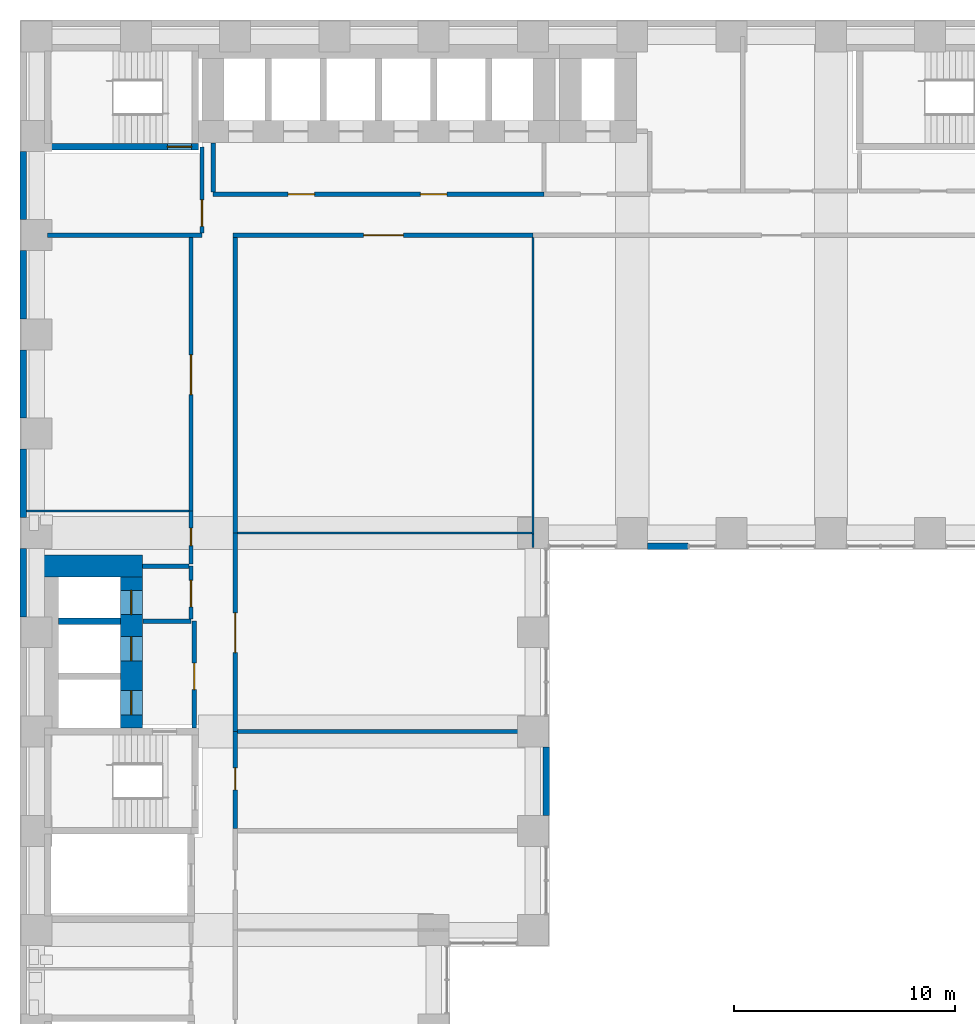
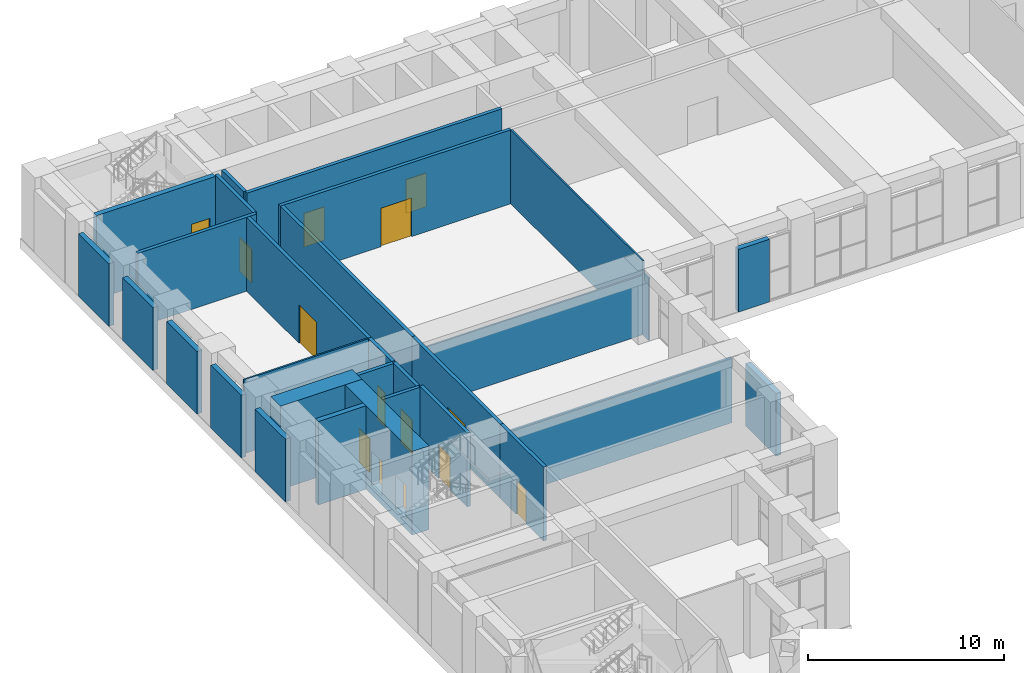
# One storey, part 16 of 30: 30 walls, 14 doors, 14 openings.
"""IFC4 building model written with IfcOpenShell, lengths in metres."""

from ifc_helpers import new_model, si_unit, direction, frame, frame_2d, origin, place, context, subcontext, project, spatial, rectangle, extrude, material, layer, layer_set, type_object, element, fill, save


model = new_model("IFC4")

# Units and contexts
model_context = context("Model", 3, precision=1e-05, world=origin(), true_north=direction((0.0, 1.0)))
body_context = subcontext(model_context, "Body", "Model", "MODEL_VIEW")
ifc_project = project(units=[si_unit("LENGTHUNIT", "METRE"), si_unit("AREAUNIT", "SQUARE_METRE"), si_unit("VOLUMEUNIT", "CUBIC_METRE"), si_unit("PLANEANGLEUNIT", "RADIAN"), si_unit("MASSUNIT", "GRAM", prefix="KILO")], contexts=[model_context])

# Site, building, storey
site_placement = place(None, origin())
site = spatial("IfcSite", under=ifc_project, at=site_placement, CompositionType="ELEMENT")
building_placement = place(site_placement, origin())
building = spatial("IfcBuilding", under=site, at=building_placement, Name="Firuza Court", CompositionType="ELEMENT")
storey_placement = place(building_placement, frame((0.0, 0.0, 9.0)))
storey = spatial("IfcBuildingStorey", under=building, at=storey_placement, Name="L01", CompositionType="ELEMENT", Elevation=9.0)

# Wall
ifc_material_1 = material(Name="Concrete C60/75", Category="concrete")
ifc_layer_1 = layer(ifc_material_1, 1.0)
ifc_layer_set_1 = layer_set([ifc_layer_1], Name="Concrete C60/75")
wall_type_1 = type_object("IfcWallType", Name="Core wall 1000 C60/75", PredefinedType="SHEAR", material=ifc_layer_set_1)
wall_1_placement = place(storey_placement, frame((0.0, 34.5, -0.60009765625), z_axis=(0.0, 0.0, 1.0), x_axis=(1.0, 0.0, 0.0)))
element("IfcWall", 1, at=wall_1_placement, inside=storey, type_object=wall_type_1, Name="Core wall lift shaft L01", PredefinedType="SHEAR", context=body_context, shape_type="SweptSolid", body=[
    extrude(rectangle(XDim=4.800048828125, YDim=1.0, at=frame_2d((2.39990234375, 0.0))), origin(), (0.0, 0.0, 1.0), 5.2001953125),
])

# Wall, openings, doors
wall_2_placement = place(storey_placement, frame((4.300048828125, 27.14990234375, -0.60009765625), z_axis=(0.0, 0.0, 1.0), x_axis=(0.0, 1.0, 0.0)))
wall_2 = element("IfcWall", 2, at=wall_2_placement, inside=storey, type_object=wall_type_1, Name="Core wall lift shaft L01", PredefinedType="SHEAR", context=body_context, shape_type="SweptSolid", body=[
    extrude(rectangle(XDim=6.85009765625, YDim=1.0, at=frame_2d((3.425048828125, 0.0))), origin(), (0.0, 0.0, 1.0), 5.2001953125),
])
opening_1_placement = place(wall_2_placement, frame((3.050048828125, 0.0, 0.60009765625)))
opening_1 = element("IfcOpeningElement", 3, at=opening_1_placement, cuts=wall_2, Name="Opening LD-FL1-01", PredefinedType="OPENING", context=body_context, shape_type="SweptSolid", body=[
    extrude(rectangle(XDim=1.10009765625, YDim=2.10009765625, at=frame_2d((0.550048828125, 1.050048828125))), frame((0.0, 0.511962890625, 0.0), z_axis=(0.0, -1.0, 0.0), x_axis=(1.0, 0.0, 0.0)), (0.0, 0.0, 1.0), 1.02392578125),
])
opening_2_placement = place(wall_2_placement, frame((0.60009765625, 0.0, 0.60009765625)))
opening_2 = element("IfcOpeningElement", 4, at=opening_2_placement, cuts=wall_2, Name="Opening LD-FL2-01", PredefinedType="OPENING", context=body_context, shape_type="SweptSolid", body=[
    extrude(rectangle(XDim=1.10009765625, YDim=2.10009765625, at=frame_2d((0.550048828125, 1.050048828125))), frame((0.0, 0.511962890625, 0.0), z_axis=(0.0, -1.0, 0.0), x_axis=(1.0, 0.0, 0.0)), (0.0, 0.0, 1.0), 1.02392578125),
])
opening_3_placement = place(wall_2_placement, frame((5.14990234375, 0.0, 0.60009765625)))
opening_3 = element("IfcOpeningElement", 5, at=opening_3_placement, cuts=wall_2, Name="Opening LD-SL1-01", PredefinedType="OPENING", context=body_context, shape_type="SweptSolid", body=[
    extrude(rectangle(XDim=1.10009765625, YDim=2.10009765625, at=frame_2d((0.550048828125, 1.050048828125))), frame((0.0, 0.511962890625, 0.0), z_axis=(0.0, -1.0, 0.0), x_axis=(1.0, 0.0, 0.0)), (0.0, 0.0, 1.0), 1.02392578125),
])
ifc_material_2 = material(Name="Stainless steel 1.4301 door leaf", Category="steel")
door_type_1 = type_object("IfcDoorType", Name="Lift landing door 1100", OperationType="SLIDING_TO_LEFT", PredefinedType="DOOR", material=ifc_material_2)
door_1_placement = place(opening_1_placement, origin())
door_1 = element("IfcDoor", 6, at=door_1_placement, inside=storey, type_object=door_type_1, Name="Landing door FL1", OperationType="SLIDING_TO_LEFT", OverallHeight=2.10009765625, OverallWidth=1.10009765625, PredefinedType="DOOR", context=body_context, shape_type="SweptSolid", body=[
    extrude(rectangle(XDim=1.10009765625, YDim=2.10009765625, at=frame_2d((0.550048828125, 1.050048828125))), frame((0.0, 0.02490234375, 0.0), z_axis=(0.0, -1.0, 0.0), x_axis=(1.0, 0.0, 0.0)), (0.0, 0.0, 1.0), 0.050048828125),
])
fill(opening_1, door_1)
door_2_placement = place(opening_2_placement, origin())
door_2 = element("IfcDoor", 7, at=door_2_placement, inside=storey, type_object=door_type_1, Name="Landing door FL2", OperationType="SLIDING_TO_LEFT", OverallHeight=2.10009765625, OverallWidth=1.10009765625, PredefinedType="DOOR", context=body_context, shape_type="SweptSolid", body=[
    extrude(rectangle(XDim=1.10009765625, YDim=2.10009765625, at=frame_2d((0.550048828125, 1.050048828125))), frame((0.0, 0.02490234375, 0.0), z_axis=(0.0, -1.0, 0.0), x_axis=(1.0, 0.0, 0.0)), (0.0, 0.0, 1.0), 0.050048828125),
])
fill(opening_2, door_2)
door_3_placement = place(opening_3_placement, origin())
door_3 = element("IfcDoor", 8, at=door_3_placement, inside=storey, type_object=door_type_1, Name="Landing door SL1", OperationType="SLIDING_TO_LEFT", OverallHeight=2.10009765625, OverallWidth=1.10009765625, PredefinedType="DOOR", context=body_context, shape_type="SweptSolid", body=[
    extrude(rectangle(XDim=1.10009765625, YDim=2.10009765625, at=frame_2d((0.550048828125, 1.050048828125))), frame((0.0, 0.02490234375, 0.0), z_axis=(0.0, -1.0, 0.0), x_axis=(1.0, 0.0, 0.0)), (0.0, 0.0, 1.0), 0.050048828125),
])
fill(opening_3, door_3)

# Wall, opening, door
ifc_layer_2 = layer(ifc_material_1, 0.300048828125)
ifc_layer_set_2 = layer_set([ifc_layer_2], Name="Concrete C60/75")
wall_type_2 = type_object("IfcWallType", Name="Core wall 300 C60/75", PredefinedType="SHEAR", material=ifc_layer_set_2)
wall_3_placement = place(storey_placement, frame((0.35009765625, 53.5, -0.60009765625), z_axis=(0.0, 0.0, 1.0), x_axis=(1.0, 0.0, 0.0)))
wall_3 = element("IfcWall", 9, at=wall_3_placement, inside=storey, type_object=wall_type_2, Name="Core wall stair L01", PredefinedType="SHEAR", context=body_context, shape_type="SweptSolid", body=[
    extrude(rectangle(XDim=7.0, YDim=0.300048828125, at=frame_2d((3.5, 0.0))), origin(), (0.0, 0.0, 1.0), 5.2001953125),
])
opening_4_placement = place(wall_3_placement, frame((5.580078125, 0.0, 0.60009765625)))
opening_4 = element("IfcOpeningElement", 10, at=opening_4_placement, cuts=wall_3, Name="Opening D01016", PredefinedType="OPENING", context=body_context, shape_type="SweptSolid", body=[
    extrude(rectangle(XDim=1.10009765625, YDim=2.10009765625, at=frame_2d((0.550048828125, 1.050048828125))), frame((0.0, 0.162109375, 0.0), z_axis=(0.0, -1.0, 0.0), x_axis=(1.0, 0.0, 0.0)), (0.0, 0.0, 1.0), 0.323974609375),
])
ifc_material_3 = material(Name="Timber door leaf in hardwood frame", Category="wood")
door_type_2 = type_object("IfcDoorType", Name="Stair door 1100", OperationType="SINGLE_SWING_LEFT", PredefinedType="DOOR", material=ifc_material_3)
door_4_placement = place(opening_4_placement, origin())
door_4 = element("IfcDoor", 11, at=door_4_placement, inside=storey, type_object=door_type_2, Name="Stair door S3", OperationType="SINGLE_SWING_RIGHT", OverallHeight=2.10009765625, OverallWidth=1.10009765625, PredefinedType="DOOR", context=body_context, shape_type="SweptSolid", body=[
    extrude(rectangle(XDim=1.10009765625, YDim=2.10009765625, at=frame_2d((0.550048828125, 1.050048828125))), frame((0.0, 0.02490234375, 0.0), z_axis=(0.0, -1.0, 0.0), x_axis=(1.0, 0.0, 0.0)), (0.0, 0.0, 1.0), 0.050048828125),
])
fill(opening_4, door_4)

# Wall
wall_4_placement = place(storey_placement, frame((1.0, 32.0, -0.60009765625), z_axis=(0.0, 0.0, 1.0), x_axis=(1.0, 0.0, 0.0)))
element("IfcWall", 12, at=wall_4_placement, inside=storey, type_object=wall_type_2, Name="Core wall lift shaft L01", PredefinedType="SHEAR", context=body_context, shape_type="SweptSolid", body=[
    extrude(rectangle(XDim=2.800048828125, YDim=0.300048828125, at=frame_2d((1.39990234375, 0.0))), origin(), (0.0, 0.0, 1.0), 5.2001953125),
])

# Wall, opening, door
ifc_material_4 = material(Name="Blockwork, plastered both sides", Category="masonry")
ifc_layer_3 = layer(ifc_material_4, 0.199951171875)
ifc_layer_set_3 = layer_set([ifc_layer_3], Name="Blockwork, plastered both sides")
wall_type_3 = type_object("IfcWallType", Name="Corridor wall 200", PredefinedType="PARTITIONING", material=ifc_layer_set_3)
wall_5_placement = place(storey_placement, frame((9.0, 27.0, 0.0), z_axis=(0.0, 0.0, 1.0), x_axis=(0.0, 1.0, 0.0)))
wall_5 = element("IfcWall", 13, at=wall_5_placement, inside=storey, type_object=wall_type_3, Name="Corridor wall 200 L01", PredefinedType="PARTITIONING", context=body_context, shape_type="SweptSolid", body=[
    extrude(rectangle(XDim=9.0, YDim=0.199951171875, at=frame_2d((4.5, 0.0))), origin(), (0.0, 0.0, 1.0), 4.60009765625),
])
opening_5_placement = place(wall_5_placement, frame((3.574951171875, 0.0, 0.0)))
opening_5 = element("IfcOpeningElement", 14, at=opening_5_placement, cuts=wall_5, Name="Opening D01026", PredefinedType="OPENING", context=body_context, shape_type="SweptSolid", body=[
    extrude(rectangle(XDim=1.800048828125, YDim=2.39990234375, at=frame_2d((0.89990234375, 1.199951171875))), frame((0.0, 0.11181640625, 0.0), z_axis=(0.0, -1.0, 0.0), x_axis=(1.0, 0.0, 0.0)), (0.0, 0.0, 1.0), 0.223876953125),
])
ifc_material_5 = material(Name="Timber door leaf in hardwood frame", Category="wood")
door_type_3 = type_object("IfcDoorType", Name="Double door 1800 EI 30", OperationType="DOUBLE_DOOR_SINGLE_SWING", PredefinedType="DOOR", material=ifc_material_5)
door_5_placement = place(opening_5_placement, origin())
door_5 = element("IfcDoor", 15, at=door_5_placement, inside=storey, type_object=door_type_3, Name="Double door", OperationType="DOUBLE_DOOR_SINGLE_SWING", OverallHeight=2.39990234375, OverallWidth=1.800048828125, PredefinedType="DOOR", context=body_context, shape_type="SweptSolid", body=[
    extrude(rectangle(XDim=1.800048828125, YDim=2.39990234375, at=frame_2d((0.89990234375, 1.199951171875))), frame((0.0, 0.02490234375, 0.0), z_axis=(0.0, -1.0, 0.0), x_axis=(1.0, 0.0, 0.0)), (0.0, 0.0, 1.0), 0.050048828125),
])
fill(opening_5, door_5)

# Wall
wall_6_placement = place(storey_placement, frame((9.0, 36.0, 0.0), z_axis=(0.0, 0.0, 1.0), x_axis=(0.0, 1.0, 0.0)))
element("IfcWall", 16, at=wall_6_placement, inside=storey, type_object=wall_type_3, Name="Corridor wall 200 L01", PredefinedType="PARTITIONING", context=body_context, shape_type="SweptSolid", body=[
    extrude(rectangle(XDim=13.39990234375, YDim=0.199951171875, at=frame_2d((6.699951171875, 0.0))), origin(), (0.0, 0.0, 1.0), 4.60009765625),
])

# Wall, opening, door
wall_7_placement = place(storey_placement, frame((7.0, 37.0, 0.0), z_axis=(0.0, 0.0, 1.0), x_axis=(0.0, -1.0, 0.0)))
wall_7 = element("IfcWall", 17, at=wall_7_placement, inside=storey, type_object=wall_type_3, Name="Corridor wall 200 L01", PredefinedType="PARTITIONING", context=body_context, shape_type="SweptSolid", body=[
    extrude(rectangle(XDim=2.39990234375, YDim=0.199951171875, at=frame_2d((1.199951171875, 0.0))), origin(), (0.0, 0.0, 1.0), 4.60009765625),
])
opening_6_placement = place(wall_7_placement, frame((0.77490234375, 0.0, 0.0)))
opening_6 = element("IfcOpeningElement", 18, at=opening_6_placement, cuts=wall_7, Name="Opening D01027", PredefinedType="OPENING", context=body_context, shape_type="SweptSolid", body=[
    extrude(rectangle(XDim=0.800048828125, YDim=2.10009765625, at=frame_2d((0.39990234375, 1.050048828125))), frame((0.0, 0.11181640625, 0.0), z_axis=(0.0, -1.0, 0.0), x_axis=(1.0, 0.0, 0.0)), (0.0, 0.0, 1.0), 0.223876953125),
])
ifc_material_6 = material(Name="Timber door leaf in hardwood frame", Category="wood")
door_type_4 = type_object("IfcDoorType", Name="Room door 800 EI 30", OperationType="SINGLE_SWING_LEFT", PredefinedType="DOOR", material=ifc_material_6)
door_6_placement = place(opening_6_placement, frame((0.800048828125, 0.0, 0.0), z_axis=(0.0, 0.0, 1.0), x_axis=(-1.0, 0.0, 0.0)))
door_6 = element("IfcDoor", 19, at=door_6_placement, inside=storey, type_object=door_type_4, Name="Room door", OperationType="SINGLE_SWING_RIGHT", OverallHeight=2.10009765625, OverallWidth=0.800048828125, PredefinedType="DOOR", context=body_context, shape_type="SweptSolid", body=[
    extrude(rectangle(XDim=0.800048828125, YDim=2.10009765625, at=frame_2d((0.39990234375, 1.050048828125))), frame((0.0, 0.02490234375, 0.0), z_axis=(0.0, -1.0, 0.0), x_axis=(1.0, 0.0, 0.0)), (0.0, 0.0, 1.0), 0.050048828125),
])
fill(opening_6, door_6)

wall_8_placement = place(storey_placement, frame((7.0, 49.39990234375, 0.0), z_axis=(0.0, 0.0, 1.0), x_axis=(0.0, -1.0, 0.0)))
wall_8 = element("IfcWall", 20, at=wall_8_placement, inside=storey, type_object=wall_type_3, Name="Corridor wall 200 L01", PredefinedType="PARTITIONING", context=body_context, shape_type="SweptSolid", body=[
    extrude(rectangle(XDim=12.39990234375, YDim=0.199951171875, at=frame_2d((6.199951171875, 0.0))), origin(), (0.0, 0.0, 1.0), 4.60009765625),
])
opening_7_placement = place(wall_8_placement, frame((5.324951171875, 0.0, 0.0)))
opening_7 = element("IfcOpeningElement", 21, at=opening_7_placement, cuts=wall_8, Name="Opening D01028", PredefinedType="OPENING", context=body_context, shape_type="SweptSolid", body=[
    extrude(rectangle(XDim=1.800048828125, YDim=2.39990234375, at=frame_2d((0.89990234375, 1.199951171875))), frame((0.0, 0.11181640625, 0.0), z_axis=(0.0, -1.0, 0.0), x_axis=(1.0, 0.0, 0.0)), (0.0, 0.0, 1.0), 0.223876953125),
])
door_7_placement = place(opening_7_placement, origin())
door_7 = element("IfcDoor", 22, at=door_7_placement, inside=storey, type_object=door_type_3, Name="Double door", OperationType="DOUBLE_DOOR_SINGLE_SWING", OverallHeight=2.39990234375, OverallWidth=1.800048828125, PredefinedType="DOOR", context=body_context, shape_type="SweptSolid", body=[
    extrude(rectangle(XDim=1.800048828125, YDim=2.39990234375, at=frame_2d((0.89990234375, 1.199951171875))), frame((0.0, 0.02490234375, 0.0), z_axis=(0.0, -1.0, 0.0), x_axis=(1.0, 0.0, 0.0)), (0.0, 0.0, 1.0), 0.050048828125),
])
fill(opening_7, door_7)

wall_9_placement = place(storey_placement, frame((8.89990234375, 49.5, 0.0), z_axis=(0.0, 0.0, 1.0), x_axis=(1.0, 0.0, 0.0)))
wall_9 = element("IfcWall", 23, at=wall_9_placement, inside=storey, type_object=wall_type_3, Name="Corridor wall 200 L01", PredefinedType="PARTITIONING", context=body_context, shape_type="SweptSolid", body=[
    extrude(rectangle(XDim=13.60009765625, YDim=0.199951171875, at=frame_2d((6.800048828125, 0.0))), origin(), (0.0, 0.0, 1.0), 4.60009765625),
])
opening_8_placement = place(wall_9_placement, frame((5.925048828125, 0.0, 0.0)))
opening_8 = element("IfcOpeningElement", 24, at=opening_8_placement, cuts=wall_9, Name="Opening D01029", PredefinedType="OPENING", context=body_context, shape_type="SweptSolid", body=[
    extrude(rectangle(XDim=1.800048828125, YDim=2.39990234375, at=frame_2d((0.89990234375, 1.199951171875))), frame((0.0, 0.11181640625, 0.0), z_axis=(0.0, -1.0, 0.0), x_axis=(1.0, 0.0, 0.0)), (0.0, 0.0, 1.0), 0.223876953125),
])
door_8_placement = place(opening_8_placement, origin())
door_8 = element("IfcDoor", 25, at=door_8_placement, inside=storey, type_object=door_type_3, Name="Double door", OperationType="DOUBLE_DOOR_SINGLE_SWING", OverallHeight=2.39990234375, OverallWidth=1.800048828125, PredefinedType="DOOR", context=body_context, shape_type="SweptSolid", body=[
    extrude(rectangle(XDim=1.800048828125, YDim=2.39990234375, at=frame_2d((0.89990234375, 1.199951171875))), frame((0.0, 0.02490234375, 0.0), z_axis=(0.0, -1.0, 0.0), x_axis=(1.0, 0.0, 0.0)), (0.0, 0.0, 1.0), 0.050048828125),
])
fill(opening_8, door_8)

# Walls
ifc_material_7 = material(Name="Timber stud partition, plasterboard both sides", Category="wood")
ifc_layer_4 = layer(ifc_material_7, 0.10009765625)
ifc_layer_set_4 = layer_set([ifc_layer_4], Name="Timber stud partition, plasterboard both sides")
wall_type_4 = type_object("IfcWallType", Name="Partition wall 100", PredefinedType="PARTITIONING", material=ifc_layer_set_4)
wall_10_placement = place(storey_placement, frame((22.5, 35.35009765625, 0.0), z_axis=(0.0, 0.0, 1.0), x_axis=(0.0, 1.0, 0.0)))
element("IfcWall", 26, at=wall_10_placement, inside=storey, type_object=wall_type_4, Name="Partition wall 100 L01", PredefinedType="PARTITIONING", context=body_context, shape_type="SweptSolid", body=[
    extrude(rectangle(XDim=0.599853515625, YDim=0.10009765625, at=frame_2d((0.2998046875, 0.0))), origin(), (0.0, 0.0, 1.0), 3.89990234375),
])
wall_11_placement = place(storey_placement, frame((22.449951171875, 36.0, 0.0), z_axis=(0.0, 0.0, 1.0), x_axis=(-1.0, 0.0, 0.0)))
element("IfcWall", 27, at=wall_11_placement, inside=storey, type_object=wall_type_4, Name="Partition wall 100 L01", PredefinedType="PARTITIONING", context=body_context, shape_type="SweptSolid", body=[
    extrude(rectangle(XDim=13.349853515625, YDim=0.10009765625, at=frame_2d((6.6748046875, 0.0))), origin(), (0.0, 0.0, 1.0), 3.699951171875),
])
wall_12_placement = place(storey_placement, frame((-0.449951171875, 37.0, 0.0), z_axis=(0.0, 0.0, 1.0), x_axis=(1.0, 0.0, 0.0)))
element("IfcWall", 28, at=wall_12_placement, inside=storey, type_object=wall_type_4, Name="Partition wall 100 L01", PredefinedType="PARTITIONING", context=body_context, shape_type="SweptSolid", body=[
    extrude(rectangle(XDim=7.349853515625, YDim=0.10009765625, at=frame_2d((3.6748046875, 0.0))), origin(), (0.0, 0.0, 1.0), 4.60009765625),
])
wall_13_placement = place(storey_placement, frame((22.5, 49.39990234375, 0.0), z_axis=(0.0, 0.0, 1.0), x_axis=(0.0, -1.0, 0.0)))
element("IfcWall", 29, at=wall_13_placement, inside=storey, type_object=wall_type_4, Name="Partition wall 100 L01", PredefinedType="PARTITIONING", context=body_context, shape_type="SweptSolid", body=[
    extrude(rectangle(XDim=13.449951171875, YDim=0.10009765625, at=frame_2d((6.72509765625, 0.0))), origin(), (0.0, 0.0, 1.0), 4.60009765625),
])

# Wall, opening, door
ifc_material_8 = material(Name="Blockwork, fire-rated", Category="masonry")
ifc_layer_5 = layer(ifc_material_8, 0.199951171875)
ifc_layer_set_5 = layer_set([ifc_layer_5], Name="Blockwork, fire-rated")
wall_type_5 = type_object("IfcWallType", Name="Plant room wall 200", PredefinedType="PARTITIONING", material=ifc_layer_set_5)
wall_14_placement = place(storey_placement, frame((9.0, 22.60009765625, 0.0), z_axis=(0.0, 0.0, 1.0), x_axis=(0.0, 1.0, 0.0)))
wall_14 = element("IfcWall", 30, at=wall_14_placement, inside=storey, type_object=wall_type_5, Name="Plant room wall 200 L01", PredefinedType="PARTITIONING", context=body_context, shape_type="SweptSolid", body=[
    extrude(rectangle(XDim=4.39990234375, YDim=0.199951171875, at=frame_2d((2.199951171875, 0.0))), origin(), (0.0, 0.0, 1.0), 4.60009765625),
])
opening_9_placement = place(wall_14_placement, frame((1.75, 0.0, 0.0)))
opening_9 = element("IfcOpeningElement", 31, at=opening_9_placement, cuts=wall_14, Name="Opening D01025", PredefinedType="OPENING", context=body_context, shape_type="SweptSolid", body=[
    extrude(rectangle(XDim=1.0, YDim=2.10009765625, at=frame_2d((0.5, 1.050048828125))), frame((0.0, 0.11181640625, 0.0), z_axis=(0.0, -1.0, 0.0), x_axis=(1.0, 0.0, 0.0)), (0.0, 0.0, 1.0), 0.223876953125),
])
ifc_material_9 = material(Name="Timber door leaf in hardwood frame", Category="wood")
door_type_5 = type_object("IfcDoorType", Name="Store door 1000", OperationType="SINGLE_SWING_LEFT", PredefinedType="DOOR", material=ifc_material_9)
door_9_placement = place(opening_9_placement, frame((1.0, 0.0, 0.0), z_axis=(0.0, 0.0, 1.0), x_axis=(-1.0, 0.0, 0.0)))
door_9 = element("IfcDoor", 32, at=door_9_placement, inside=storey, type_object=door_type_5, Name="Store door", OperationType="SINGLE_SWING_LEFT", OverallHeight=2.10009765625, OverallWidth=1.0, PredefinedType="DOOR", context=body_context, shape_type="SweptSolid", body=[
    extrude(rectangle(XDim=1.0, YDim=2.10009765625, at=frame_2d((0.5, 1.050048828125))), frame((0.0, 0.02490234375, 0.0), z_axis=(0.0, -1.0, 0.0), x_axis=(1.0, 0.0, 0.0)), (0.0, 0.0, 1.0), 0.050048828125),
])
fill(opening_9, door_9)

# Walls
wall_15_placement = place(storey_placement, frame((22.5, 27.0, 0.0), z_axis=(0.0, 0.0, 1.0), x_axis=(-1.0, 0.0, 0.0)))
element("IfcWall", 33, at=wall_15_placement, inside=storey, type_object=wall_type_5, Name="Plant room wall 200 L01", PredefinedType="PARTITIONING", context=body_context, shape_type="SweptSolid", body=[
    extrude(rectangle(XDim=13.39990234375, YDim=0.199951171875, at=frame_2d((6.699951171875, 0.0))), origin(), (0.0, 0.0, 1.0), 4.0),
])
ifc_material_10 = material(Name="Ceramic tile", Category="ceramic")
ifc_layer_6 = layer(ifc_material_10, 0.02001953125)
ifc_material_11 = material(Name="Mineral wool insulation", Category="insulation")
ifc_layer_7 = layer(ifc_material_11, 0.1298828125)
ifc_material_12 = material(Name="Concrete C40/50 precast", Category="concrete")
ifc_layer_8 = layer(ifc_material_12, 0.14990234375)
ifc_layer_set_6 = layer_set([ifc_layer_6, ifc_layer_7, ifc_layer_8], Name="Concrete C40/50 precast")
wall_type_6 = type_object("IfcWallType", Name="Precast spandrel wall with turquoise TILE PANEL face 300", PredefinedType="STANDARD", material=ifc_layer_set_6)
wall_16_placement = place(storey_placement, frame((23.10009765625, 23.199951171875, 0.0), z_axis=(0.0, 0.0, 1.0), x_axis=(0.0, 1.0, 0.0)))
element("IfcWall", 34, at=wall_16_placement, inside=storey, type_object=wall_type_6, Name="Facade wall L01 E", PredefinedType="STANDARD", context=body_context, shape_type="SweptSolid", body=[
    extrude(rectangle(XDim=3.10009765625, YDim=0.300048828125, at=frame_2d((1.550048828125, 0.0))), origin(), (0.0, 0.0, 1.0), 3.89990234375),
])
wall_17_placement = place(storey_placement, frame((27.699951171875, 35.39990234375, 0.0), z_axis=(0.0, 0.0, 1.0), x_axis=(1.0, 0.0, 0.0)))
element("IfcWall", 35, at=wall_17_placement, inside=storey, type_object=wall_type_6, Name="Facade wall L01 S", PredefinedType="STANDARD", context=body_context, shape_type="SweptSolid", body=[
    extrude(rectangle(XDim=1.817138671875, YDim=0.300048828125, at=frame_2d((0.90869140625, 0.0))), origin(), (0.0, 0.0, 1.0), 3.89990234375),
])
for number, where, z_axis, x_axis, name in (
    (36, (-0.60009765625, 53.300048828125, 0.0), (0.0, 0.0, 1.0), (0.0, -1.0, 0.0), "Facade wall L01 W"),
    (37, (-0.60009765625, 48.800048828125, 0.0), (0.0, 0.0, 1.0), (0.0, -1.0, 0.0), "Facade wall L01 W"),
    (38, (-0.60009765625, 44.300048828125, 0.0), (0.0, 0.0, 1.0), (0.0, -1.0, 0.0), "Facade wall L01 W"),
    (39, (-0.60009765625, 39.800048828125, 0.0), (0.0, 0.0, 1.0), (0.0, -1.0, 0.0), "Facade wall L01 W"),
    (40, (-0.60009765625, 35.300048828125, 0.0), (0.0, 0.0, 1.0), (0.0, -1.0, 0.0), "Facade wall L01 W"),
):
    element("IfcWall", number, at=place(storey_placement, frame(where, z_axis=z_axis, x_axis=x_axis)), inside=storey, type_object=wall_type_6, Name=name, PredefinedType="STANDARD", context=body_context, shape_type="SweptSolid", body=[
        extrude(rectangle(XDim=3.10009765625, YDim=0.300048828125, at=frame_2d((1.550048828125, 0.0))), origin(), (0.0, 0.0, 1.0), 3.89990234375),
    ])

# Wall, openings, doors
ifc_layer_9 = layer(ifc_material_8, 0.199951171875)
ifc_layer_set_7 = layer_set([ifc_layer_9], Name="Blockwork, fire-rated")
wall_type_7 = type_object("IfcWallType", Name="Shaft wall 200", PredefinedType="PARTITIONING", material=ifc_layer_set_7)
wall_18_placement = place(storey_placement, frame((8.0, 51.35009765625, 0.0), z_axis=(0.0, 0.0, 1.0), x_axis=(1.0, 0.0, 0.0)))
wall_18 = element("IfcWall", 41, at=wall_18_placement, inside=storey, type_object=wall_type_7, Name="Shaft wall 200 L01", PredefinedType="PARTITIONING", context=body_context, shape_type="SweptSolid", body=[
    extrude(rectangle(XDim=15.0, YDim=0.199951171875, at=frame_2d((7.5, 0.0))), origin(), (0.0, 0.0, 1.0), 4.60009765625),
])
opening_10_placement = place(wall_18_placement, frame((3.39990234375, 0.0, 0.0)))
opening_10 = element("IfcOpeningElement", 42, at=opening_10_placement, cuts=wall_18, Name="Opening D01004", PredefinedType="OPENING", context=body_context, shape_type="SweptSolid", body=[
    extrude(rectangle(XDim=1.199951171875, YDim=2.10009765625, at=frame_2d((0.60009765625, 1.050048828125))), frame((0.0, 0.11181640625, 0.0), z_axis=(0.0, -1.0, 0.0), x_axis=(1.0, 0.0, 0.0)), (0.0, 0.0, 1.0), 0.223876953125),
])
opening_11_placement = place(wall_18_placement, frame((9.39990234375, 0.0, 0.0)))
opening_11 = element("IfcOpeningElement", 43, at=opening_11_placement, cuts=wall_18, Name="Opening D01005", PredefinedType="OPENING", context=body_context, shape_type="SweptSolid", body=[
    extrude(rectangle(XDim=1.199951171875, YDim=2.10009765625, at=frame_2d((0.60009765625, 1.050048828125))), frame((0.0, 0.11181640625, 0.0), z_axis=(0.0, -1.0, 0.0), x_axis=(1.0, 0.0, 0.0)), (0.0, 0.0, 1.0), 0.223876953125),
])
ifc_material_13 = material(Name="Timber door leaf in hardwood frame", Category="wood")
door_type_6 = type_object("IfcDoorType", Name="Lobby door 1200", OperationType="SINGLE_SWING_LEFT", PredefinedType="DOOR", material=ifc_material_13)
door_10_placement = place(opening_10_placement, origin())
door_10 = element("IfcDoor", 44, at=door_10_placement, inside=storey, type_object=door_type_6, Name="Lobby door", OperationType="SINGLE_SWING_LEFT", OverallHeight=2.10009765625, OverallWidth=1.199951171875, PredefinedType="DOOR", context=body_context, shape_type="SweptSolid", body=[
    extrude(rectangle(XDim=1.199951171875, YDim=2.10009765625, at=frame_2d((0.60009765625, 1.050048828125))), frame((0.0, 0.02490234375, 0.0), z_axis=(0.0, -1.0, 0.0), x_axis=(1.0, 0.0, 0.0)), (0.0, 0.0, 1.0), 0.050048828125),
])
fill(opening_10, door_10)
door_11_placement = place(opening_11_placement, origin())
door_11 = element("IfcDoor", 45, at=door_11_placement, inside=storey, type_object=door_type_6, Name="Lobby door", OperationType="SINGLE_SWING_RIGHT", OverallHeight=2.10009765625, OverallWidth=1.199951171875, PredefinedType="DOOR", context=body_context, shape_type="SweptSolid", body=[
    extrude(rectangle(XDim=1.199951171875, YDim=2.10009765625, at=frame_2d((0.60009765625, 1.050048828125))), frame((0.0, 0.02490234375, 0.0), z_axis=(0.0, -1.0, 0.0), x_axis=(1.0, 0.0, 0.0)), (0.0, 0.0, 1.0), 0.050048828125),
])
fill(opening_11, door_11)

# Walls
wall_19_placement = place(storey_placement, frame((8.0, 51.449951171875, 0.0), z_axis=(0.0, 0.0, 1.0), x_axis=(0.0, 1.0, 0.0)))
element("IfcWall", 46, at=wall_19_placement, inside=storey, type_object=wall_type_7, Name="Shaft wall 200 L01", PredefinedType="PARTITIONING", context=body_context, shape_type="SweptSolid", body=[
    extrude(rectangle(XDim=2.22998046875, YDim=0.199951171875, at=frame_2d((1.114990234375, 0.0))), origin(), (0.0, 0.0, 1.0), 4.60009765625),
])
wall_20_placement = place(storey_placement, frame((4.820068359375, 32.0, 0.0), z_axis=(0.0, 0.0, 1.0), x_axis=(1.0, 0.0, 0.0)))
element("IfcWall", 47, at=wall_20_placement, inside=storey, type_object=wall_type_7, Name="Shaft wall 200 L01", PredefinedType="PARTITIONING", context=body_context, shape_type="SweptSolid", body=[
    extrude(rectangle(XDim=2.179931640625, YDim=0.199951171875, at=frame_2d((1.08984375, 0.0))), origin(), (0.0, 0.0, 1.0), 4.60009765625),
])

# Wall, opening, door
wall_21_placement = place(storey_placement, frame((7.0, 32.10009765625, 0.0), z_axis=(0.0, 0.0, 1.0), x_axis=(0.0, 1.0, 0.0)))
wall_21 = element("IfcWall", 48, at=wall_21_placement, inside=storey, type_object=wall_type_7, Name="Shaft wall 200 L01", PredefinedType="PARTITIONING", context=body_context, shape_type="SweptSolid", body=[
    extrude(rectangle(XDim=2.39990234375, YDim=0.199951171875, at=frame_2d((1.199951171875, 0.0))), origin(), (0.0, 0.0, 1.0), 4.60009765625),
])
opening_12_placement = place(wall_21_placement, frame((0.550048828125, 0.0, 0.0)))
opening_12 = element("IfcOpeningElement", 49, at=opening_12_placement, cuts=wall_21, Name="Opening D01008", PredefinedType="OPENING", context=body_context, shape_type="SweptSolid", body=[
    extrude(rectangle(XDim=1.199951171875, YDim=2.10009765625, at=frame_2d((0.60009765625, 1.050048828125))), frame((0.0, 0.11181640625, 0.0), z_axis=(0.0, -1.0, 0.0), x_axis=(1.0, 0.0, 0.0)), (0.0, 0.0, 1.0), 0.223876953125),
])
door_12_placement = place(opening_12_placement, origin())
door_12 = element("IfcDoor", 50, at=door_12_placement, inside=storey, type_object=door_type_6, Name="Lobby door", OperationType="SINGLE_SWING_LEFT", OverallHeight=2.10009765625, OverallWidth=1.199951171875, PredefinedType="DOOR", context=body_context, shape_type="SweptSolid", body=[
    extrude(rectangle(XDim=1.199951171875, YDim=2.10009765625, at=frame_2d((0.60009765625, 1.050048828125))), frame((0.0, 0.02490234375, 0.0), z_axis=(0.0, -1.0, 0.0), x_axis=(1.0, 0.0, 0.0)), (0.0, 0.0, 1.0), 0.050048828125),
])
fill(opening_12, door_12)

# Wall
wall_22_placement = place(storey_placement, frame((4.800048828125, 34.5, 0.0), z_axis=(0.0, 0.0, 1.0), x_axis=(1.0, 0.0, 0.0)))
element("IfcWall", 51, at=wall_22_placement, inside=storey, type_object=wall_type_7, Name="Shaft wall 200 L01", PredefinedType="PARTITIONING", context=body_context, shape_type="SweptSolid", body=[
    extrude(rectangle(XDim=2.099853515625, YDim=0.199951171875, at=frame_2d((1.0498046875, 0.0))), origin(), (0.0, 0.0, 1.0), 4.60009765625),
])

# Wall, opening, door
wall_23_placement = place(storey_placement, frame((7.14990234375, 27.169921875, 0.0), z_axis=(0.0, 0.0, 1.0), x_axis=(0.0, 1.0, 0.0)))
wall_23 = element("IfcWall", 52, at=wall_23_placement, inside=storey, type_object=wall_type_7, Name="Shaft wall 200 L01", PredefinedType="PARTITIONING", context=body_context, shape_type="SweptSolid", body=[
    extrude(rectangle(XDim=4.830078125, YDim=0.199951171875, at=frame_2d((2.4150390625, 0.0))), origin(), (0.0, 0.0, 1.0), 4.60009765625),
])
opening_13_placement = place(wall_23_placement, frame((1.72998046875, 0.0, 0.0)))
opening_13 = element("IfcOpeningElement", 53, at=opening_13_placement, cuts=wall_23, Name="Opening D01002", PredefinedType="OPENING", context=body_context, shape_type="SweptSolid", body=[
    extrude(rectangle(XDim=1.199951171875, YDim=2.10009765625, at=frame_2d((0.60009765625, 1.050048828125))), frame((0.0, 0.11181640625, 0.0), z_axis=(0.0, -1.0, 0.0), x_axis=(1.0, 0.0, 0.0)), (0.0, 0.0, 1.0), 0.223876953125),
])
door_13_placement = place(opening_13_placement, origin())
door_13 = element("IfcDoor", 54, at=door_13_placement, inside=storey, type_object=door_type_6, Name="Fire-fighting lobby door", OperationType="SINGLE_SWING_LEFT", OverallHeight=2.10009765625, OverallWidth=1.199951171875, PredefinedType="DOOR", context=body_context, shape_type="SweptSolid", body=[
    extrude(rectangle(XDim=1.199951171875, YDim=2.10009765625, at=frame_2d((0.60009765625, 1.050048828125))), frame((0.0, 0.02490234375, 0.0), z_axis=(0.0, -1.0, 0.0), x_axis=(1.0, 0.0, 0.0)), (0.0, 0.0, 1.0), 0.050048828125),
])
fill(opening_13, door_13)

# Wall
wall_24_placement = place(storey_placement, frame((0.5, 49.5, 0.0), z_axis=(0.0, 0.0, 1.0), x_axis=(1.0, 0.0, 0.0)))
element("IfcWall", 55, at=wall_24_placement, inside=storey, type_object=wall_type_7, Name="Shaft wall 200 L01", PredefinedType="PARTITIONING", context=body_context, shape_type="SweptSolid", body=[
    extrude(rectangle(XDim=7.0, YDim=0.199951171875, at=frame_2d((3.5, 0.0))), origin(), (0.0, 0.0, 1.0), 4.60009765625),
])

# Wall, opening, door
wall_25_placement = place(storey_placement, frame((7.5, 49.60009765625, 0.0), z_axis=(0.0, 0.0, 1.0), x_axis=(0.0, 1.0, 0.0)))
wall_25 = element("IfcWall", 56, at=wall_25_placement, inside=storey, type_object=wall_type_7, Name="Shaft wall 200 L01", PredefinedType="PARTITIONING", context=body_context, shape_type="SweptSolid", body=[
    extrude(rectangle(XDim=3.89990234375, YDim=0.199951171875, at=frame_2d((1.949951171875, 0.0))), origin(), (0.0, 0.0, 1.0), 4.60009765625),
])
opening_14_placement = place(wall_25_placement, frame((0.300048828125, 0.0, 0.0)))
opening_14 = element("IfcOpeningElement", 57, at=opening_14_placement, cuts=wall_25, Name="Opening D01001", PredefinedType="OPENING", context=body_context, shape_type="SweptSolid", body=[
    extrude(rectangle(XDim=1.199951171875, YDim=2.10009765625, at=frame_2d((0.60009765625, 1.050048828125))), frame((0.0, 0.11181640625, 0.0), z_axis=(0.0, -1.0, 0.0), x_axis=(1.0, 0.0, 0.0)), (0.0, 0.0, 1.0), 0.223876953125),
])
door_14_placement = place(opening_14_placement, origin())
door_14 = element("IfcDoor", 58, at=door_14_placement, inside=storey, type_object=door_type_6, Name="Lobby door", OperationType="SINGLE_SWING_LEFT", OverallHeight=2.10009765625, OverallWidth=1.199951171875, PredefinedType="DOOR", context=body_context, shape_type="SweptSolid", body=[
    extrude(rectangle(XDim=1.199951171875, YDim=2.10009765625, at=frame_2d((0.60009765625, 1.050048828125))), frame((0.0, 0.02490234375, 0.0), z_axis=(0.0, -1.0, 0.0), x_axis=(1.0, 0.0, 0.0)), (0.0, 0.0, 1.0), 0.050048828125),
])
fill(opening_14, door_14)

save(model, "model.ifc")
